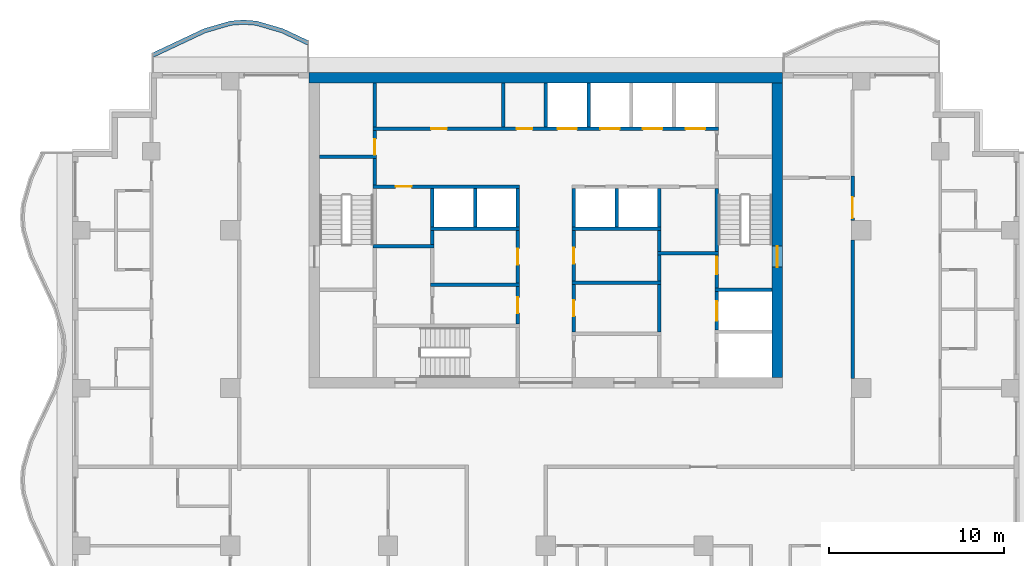
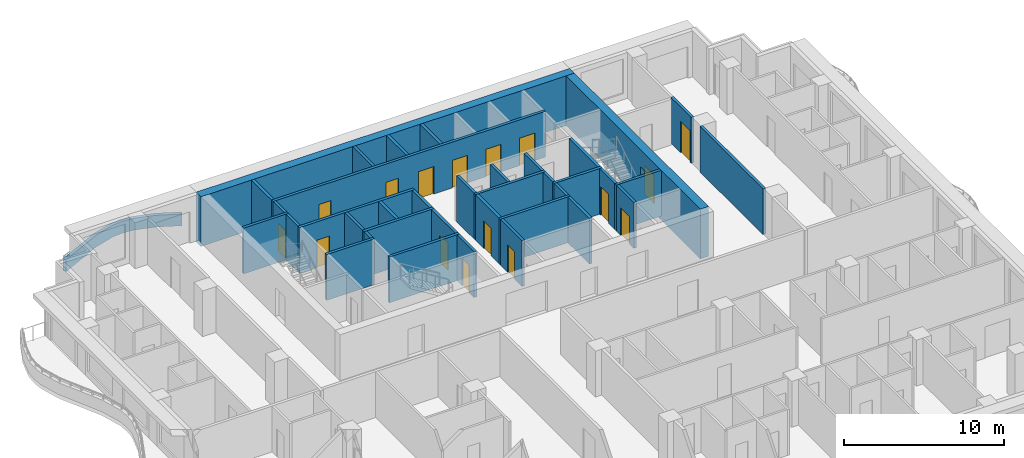
# One storey, part 6 of 12: 38 walls, 16 doors, 16 openings.
"""IFC4 building model written with IfcOpenShell, lengths in metres."""

from ifc_helpers import new_model, si_unit, direction, frame, frame_2d, origin, place, context, subcontext, project, spatial, polyline, rectangle, outline, extrude, material, layer, layer_set, type_object, element, fill, save


model = new_model("IFC4")

# Units and contexts
model_context = context("Model", 3, precision=1e-05, world=origin(), true_north=direction((0.0, 1.0)))
body_context = subcontext(model_context, "Body", "Model", "MODEL_VIEW")
ifc_project = project(units=[si_unit("LENGTHUNIT", "METRE"), si_unit("AREAUNIT", "SQUARE_METRE"), si_unit("VOLUMEUNIT", "CUBIC_METRE"), si_unit("PLANEANGLEUNIT", "RADIAN"), si_unit("MASSUNIT", "GRAM", prefix="KILO")], contexts=[model_context])

# Site, building, storey
site_placement = place(None, origin())
site = spatial("IfcSite", under=ifc_project, at=site_placement, CompositionType="ELEMENT")
building_placement = place(site_placement, origin())
building = spatial("IfcBuilding", under=site, at=building_placement, Name="Orbiselva Terraces", CompositionType="ELEMENT")
storey_placement = place(building_placement, frame((0.0, 0.0, 211.0)))
storey = spatial("IfcBuildingStorey", under=building, at=storey_placement, Name="L53", CompositionType="ELEMENT", Elevation=211.0)

# Wall, opening, door
ifc_material_1 = material(Name="Concrete C80/95", Category="concrete")
ifc_layer_1 = layer(ifc_material_1, 0.6)
ifc_layer_set_1 = layer_set([ifc_layer_1], Name="Concrete C80/95")
wall_type_1 = type_object("IfcWallType", Name="CORE WALL 600", PredefinedType="SHEAR", material=ifc_layer_set_1)
wall_1_placement = place(storey_placement, frame((13.2, 5.1, -0.3), z_axis=(0.0, 0.0, 1.0), x_axis=(0.0, 1.0, 0.0)))
wall_1 = element("IfcWall", 1, at=wall_1_placement, inside=storey, type_object=wall_type_1, Name="Core wall L53 east", PredefinedType="SHEAR", context=body_context, shape_type="SweptSolid", body=[
    extrude(rectangle(XDim=16.8, YDim=0.6, at=frame_2d((8.4, 0.0))), origin(), (0.0, 0.0, 1.0), 3.8),
])
opening_1_placement = place(wall_1_placement, frame((6.3, 0.0, 0.3)))
opening_1 = element("IfcOpeningElement", 2, at=opening_1_placement, cuts=wall_1, Name="Opening DS1200", PredefinedType="OPENING", context=body_context, shape_type="SweptSolid", body=[
    extrude(rectangle(XDim=1.2, YDim=2.2, at=frame_2d((0.6, 1.1))), frame((0.0, 0.31, 0.0), z_axis=(0.0, -1.0, 0.0), x_axis=(1.0, 0.0, 0.0)), (0.0, 0.0, 1.0), 0.62),
])
ifc_material_2 = material(Name="Steel fire door", Category="steel")
door_type_1 = type_object("IfcDoorType", Name="STAIR DOOR 1200", OperationType="NOTDEFINED", PredefinedType="DOOR", material=ifc_material_2)
door_1_placement = place(opening_1_placement, frame((1.2, 0.0, 0.0), z_axis=(0.0, 0.0, 1.0), x_axis=(-1.0, 0.0, 0.0)))
door_1 = element("IfcDoor", 3, at=door_1_placement, inside=storey, type_object=door_type_1, Name="L53 EXIT STAIR S2 door", OperationType="SINGLE_SWING_LEFT", OverallHeight=2.2, OverallWidth=1.2, PredefinedType="DOOR", context=body_context, shape_type="SweptSolid", body=[
    extrude(rectangle(XDim=1.2, YDim=2.2, at=frame_2d((0.6, 1.1))), frame((0.0, 0.025, 0.0), z_axis=(0.0, -1.0, 0.0), x_axis=(1.0, 0.0, 0.0)), (0.0, 0.0, 1.0), 0.05),
])
fill(opening_1, door_1)

# Wall
ifc_layer_2 = layer(ifc_material_1, 0.6)
ifc_layer_set_2 = layer_set([ifc_layer_2], Name="Concrete C80/95")
wall_type_2 = type_object("IfcWallType", Name="CORE WALL 600 EXTERNAL", PredefinedType="SHEAR", material=ifc_layer_set_2)
wall_2_placement = place(storey_placement, frame((13.5, 22.2, -0.3), z_axis=(0.0, 0.0, 1.0), x_axis=(-1.0, 0.0, 0.0)))
element("IfcWall", 4, at=wall_2_placement, inside=storey, type_object=wall_type_2, Name="Core wall L53 north", PredefinedType="SHEAR", context=body_context, shape_type="SweptSolid", body=[
    extrude(rectangle(XDim=27.0, YDim=0.6, at=frame_2d((13.5, 0.0))), origin(), (0.0, 0.0, 1.0), 3.8),
])

# Wall, opening, door
ifc_material_3 = material(Name="Masonry blockwork", Category="masonry")
ifc_layer_3 = layer(ifc_material_3, 0.2)
ifc_layer_set_3 = layer_set([ifc_layer_3], Name="Masonry blockwork")
wall_type_3 = type_object("IfcWallType", Name="CORE-WALL-PARTITION-200", PredefinedType="PARTITIONING", material=ifc_layer_set_3)
wall_3_placement = place(storey_placement, frame((-9.75, 17.8, 0.0), z_axis=(0.0, 0.0, 1.0), x_axis=(0.0, 1.0, 0.0)))
wall_3 = element("IfcWall", 5, at=wall_3_placement, inside=storey, type_object=wall_type_3, Name="L53 core wall 11", PredefinedType="PARTITIONING", context=body_context, shape_type="SweptSolid", body=[
    extrude(rectangle(XDim=1.4, YDim=0.2, at=frame_2d((0.7, 0.0))), origin(), (0.0, 0.0, 1.0), 3.5),
])
opening_2_placement = place(wall_3_placement, origin())
opening_2 = element("IfcOpeningElement", 6, at=opening_2_placement, cuts=wall_3, Name="Opening DR900", PredefinedType="OPENING", context=body_context, shape_type="SweptSolid", body=[
    extrude(rectangle(XDim=0.9, YDim=2.1, at=frame_2d((0.45, 1.05))), frame((0.0, 0.11, 0.0), z_axis=(0.0, -1.0, 0.0), x_axis=(1.0, 0.0, 0.0)), (0.0, 0.0, 1.0), 0.22),
])
door_type_2 = type_object("IfcDoorType", Name="ROOM DOOR 900", OperationType="NOTDEFINED", PredefinedType="DOOR", material=ifc_material_2)
door_2_placement = place(opening_2_placement, origin())
door_2 = element("IfcDoor", 7, at=door_2_placement, inside=storey, type_object=door_type_2, Name="L53 COMMS RISER ROOM door", OperationType="SINGLE_SWING_LEFT", OverallHeight=2.1, OverallWidth=0.9, PredefinedType="DOOR", context=body_context, shape_type="SweptSolid", body=[
    extrude(rectangle(XDim=0.9, YDim=2.1, at=frame_2d((0.45, 1.05))), frame((0.0, 0.025, 0.0), z_axis=(0.0, -1.0, 0.0), x_axis=(1.0, 0.0, 0.0)), (0.0, 0.0, 1.0), 0.05),
])
fill(opening_2, door_2)

# Walls
wall_4_placement = place(storey_placement, frame((-9.75, 19.4, 0.0), z_axis=(0.0, 0.0, 1.0), x_axis=(0.0, 1.0, 0.0)))
element("IfcWall", 8, at=wall_4_placement, inside=storey, type_object=wall_type_3, Name="L53 core wall 13", PredefinedType="PARTITIONING", context=body_context, shape_type="SweptSolid", body=[
    extrude(rectangle(XDim=2.5, YDim=0.2, at=frame_2d((1.25, 0.0))), origin(), (0.0, 0.0, 1.0), 3.5),
])
wall_5_placement = place(storey_placement, frame((-6.475, 12.7, 0.0), z_axis=(0.0, 0.0, 1.0), x_axis=(0.0, 1.0, 0.0)))
element("IfcWall", 9, at=wall_5_placement, inside=storey, type_object=wall_type_3, Name="L53 core wall 17", PredefinedType="PARTITIONING", context=body_context, shape_type="SweptSolid", body=[
    extrude(rectangle(XDim=0.8, YDim=0.2, at=frame_2d((0.4, 0.0))), origin(), (0.0, 0.0, 1.0), 3.5),
])
wall_6_placement = place(storey_placement, frame((-2.4375, 19.4, 0.0), z_axis=(0.0, 0.0, 1.0), x_axis=(0.0, 1.0, 0.0)))
element("IfcWall", 10, at=wall_6_placement, inside=storey, type_object=wall_type_3, Name="L53 core wall 21", PredefinedType="PARTITIONING", context=body_context, shape_type="SweptSolid", body=[
    extrude(rectangle(XDim=2.5, YDim=0.2, at=frame_2d((1.25, 0.0))), origin(), (0.0, 0.0, 1.0), 3.5),
])

# Wall, opening, door
wall_7_placement = place(storey_placement, frame((-1.6, 8.15, 0.0), z_axis=(0.0, 0.0, 1.0), x_axis=(0.0, 1.0, 0.0)))
wall_7 = element("IfcWall", 11, at=wall_7_placement, inside=storey, type_object=wall_type_3, Name="L53 core wall 23", PredefinedType="PARTITIONING", context=body_context, shape_type="SweptSolid", body=[
    extrude(rectangle(XDim=2.15, YDim=0.2, at=frame_2d((1.075, 0.0))), origin(), (0.0, 0.0, 1.0), 3.5),
])
opening_3_placement = place(wall_7_placement, frame((0.625, 0.0, 0.0)))
opening_3 = element("IfcOpeningElement", 12, at=opening_3_placement, cuts=wall_7, Name="Opening DR900", PredefinedType="OPENING", context=body_context, shape_type="SweptSolid", body=[
    extrude(rectangle(XDim=0.9, YDim=2.1, at=frame_2d((0.45, 1.05))), frame((0.0, 0.11, 0.0), z_axis=(0.0, -1.0, 0.0), x_axis=(1.0, 0.0, 0.0)), (0.0, 0.0, 1.0), 0.22),
])
door_3_placement = place(opening_3_placement, origin())
door_3 = element("IfcDoor", 13, at=door_3_placement, inside=storey, type_object=door_type_2, Name="L53 SERVICE PANTRY door", OperationType="SINGLE_SWING_LEFT", OverallHeight=2.1, OverallWidth=0.9, PredefinedType="DOOR", context=body_context, shape_type="SweptSolid", body=[
    extrude(rectangle(XDim=0.9, YDim=2.1, at=frame_2d((0.45, 1.05))), frame((0.0, 0.025, 0.0), z_axis=(0.0, -1.0, 0.0), x_axis=(1.0, 0.0, 0.0)), (0.0, 0.0, 1.0), 0.05),
])
fill(opening_3, door_3)

wall_8_placement = place(storey_placement, frame((-1.6, 10.5, 0.0), z_axis=(0.0, 0.0, 1.0), x_axis=(0.0, 1.0, 0.0)))
wall_8 = element("IfcWall", 14, at=wall_8_placement, inside=storey, type_object=wall_type_3, Name="L53 core wall 24", PredefinedType="PARTITIONING", context=body_context, shape_type="SweptSolid", body=[
    extrude(rectangle(XDim=3.0, YDim=0.2, at=frame_2d((1.5, 0.0))), origin(), (0.0, 0.0, 1.0), 3.5),
])
opening_4_placement = place(wall_8_placement, frame((1.05, 0.0, 0.0)))
opening_4 = element("IfcOpeningElement", 15, at=opening_4_placement, cuts=wall_8, Name="Opening DR900", PredefinedType="OPENING", context=body_context, shape_type="SweptSolid", body=[
    extrude(rectangle(XDim=0.9, YDim=2.1, at=frame_2d((0.45, 1.05))), frame((0.0, 0.11, 0.0), z_axis=(0.0, -1.0, 0.0), x_axis=(1.0, 0.0, 0.0)), (0.0, 0.0, 1.0), 0.22),
])
door_4_placement = place(opening_4_placement, origin())
door_4 = element("IfcDoor", 16, at=door_4_placement, inside=storey, type_object=door_type_2, Name="L53 LINEN STORE door", OperationType="SINGLE_SWING_RIGHT", OverallHeight=2.1, OverallWidth=0.9, PredefinedType="DOOR", context=body_context, shape_type="SweptSolid", body=[
    extrude(rectangle(XDim=0.9, YDim=2.1, at=frame_2d((0.45, 1.05))), frame((0.0, 0.025, 0.0), z_axis=(0.0, -1.0, 0.0), x_axis=(1.0, 0.0, 0.0)), (0.0, 0.0, 1.0), 0.05),
])
fill(opening_4, door_4)

wall_9_placement = place(storey_placement, frame((1.6, 10.4, 0.0), z_axis=(0.0, 0.0, 1.0), x_axis=(0.0, -1.0, 0.0)))
wall_9 = element("IfcWall", 17, at=wall_9_placement, inside=storey, type_object=wall_type_3, Name="L53 core wall 29", PredefinedType="PARTITIONING", context=body_context, shape_type="SweptSolid", body=[
    extrude(rectangle(XDim=2.7, YDim=0.2, at=frame_2d((1.35, 0.0))), origin(), (0.0, 0.0, 1.0), 3.5),
])
opening_5_placement = place(wall_9_placement, frame((0.9, 0.0, 0.0)))
opening_5 = element("IfcOpeningElement", 18, at=opening_5_placement, cuts=wall_9, Name="Opening DR900", PredefinedType="OPENING", context=body_context, shape_type="SweptSolid", body=[
    extrude(rectangle(XDim=0.9, YDim=2.1, at=frame_2d((0.45, 1.05))), frame((0.0, 0.11, 0.0), z_axis=(0.0, -1.0, 0.0), x_axis=(1.0, 0.0, 0.0)), (0.0, 0.0, 1.0), 0.22),
])
door_5_placement = place(opening_5_placement, origin())
door_5 = element("IfcDoor", 19, at=door_5_placement, inside=storey, type_object=door_type_2, Name="L53 SERVICE PANTRY door", OperationType="SINGLE_SWING_LEFT", OverallHeight=2.1, OverallWidth=0.9, PredefinedType="DOOR", context=body_context, shape_type="SweptSolid", body=[
    extrude(rectangle(XDim=0.9, YDim=2.1, at=frame_2d((0.45, 1.05))), frame((0.0, 0.025, 0.0), z_axis=(0.0, -1.0, 0.0), x_axis=(1.0, 0.0, 0.0)), (0.0, 0.0, 1.0), 0.05),
])
fill(opening_5, door_5)

wall_10_placement = place(storey_placement, frame((1.6, 13.5, 0.0), z_axis=(0.0, 0.0, 1.0), x_axis=(0.0, -1.0, 0.0)))
wall_10 = element("IfcWall", 20, at=wall_10_placement, inside=storey, type_object=wall_type_3, Name="L53 core wall 31", PredefinedType="PARTITIONING", context=body_context, shape_type="SweptSolid", body=[
    extrude(rectangle(XDim=2.9, YDim=0.2, at=frame_2d((1.45, 0.0))), origin(), (0.0, 0.0, 1.0), 3.5),
])
opening_6_placement = place(wall_10_placement, frame((1.0, 0.0, 0.0)))
opening_6 = element("IfcOpeningElement", 21, at=opening_6_placement, cuts=wall_10, Name="Opening DR900", PredefinedType="OPENING", context=body_context, shape_type="SweptSolid", body=[
    extrude(rectangle(XDim=0.9, YDim=2.1, at=frame_2d((0.45, 1.05))), frame((0.0, 0.11, 0.0), z_axis=(0.0, -1.0, 0.0), x_axis=(1.0, 0.0, 0.0)), (0.0, 0.0, 1.0), 0.22),
])
door_6_placement = place(opening_6_placement, origin())
door_6 = element("IfcDoor", 22, at=door_6_placement, inside=storey, type_object=door_type_2, Name="L53 STAFF WC door", OperationType="SINGLE_SWING_LEFT", OverallHeight=2.1, OverallWidth=0.9, PredefinedType="DOOR", context=body_context, shape_type="SweptSolid", body=[
    extrude(rectangle(XDim=0.9, YDim=2.1, at=frame_2d((0.45, 1.05))), frame((0.0, 0.025, 0.0), z_axis=(0.0, -1.0, 0.0), x_axis=(1.0, 0.0, 0.0)), (0.0, 0.0, 1.0), 0.05),
])
fill(opening_6, door_6)

# Walls
wall_11_placement = place(storey_placement, frame((6.475, 12.3, 0.0), z_axis=(0.0, 0.0, 1.0), x_axis=(0.0, 1.0, 0.0)))
element("IfcWall", 23, at=wall_11_placement, inside=storey, type_object=wall_type_3, Name="L53 core wall 42", PredefinedType="PARTITIONING", context=body_context, shape_type="SweptSolid", body=[
    extrude(rectangle(XDim=1.2, YDim=0.2, at=frame_2d((0.6, 0.0))), origin(), (0.0, 0.0, 1.0), 3.5),
])
ifc_material_4 = material(Name="Concrete C40/50", Category="concrete")
ifc_layer_4 = layer(ifc_material_4, 0.2)
ifc_layer_set_4 = layer_set([ifc_layer_4], Name="Concrete C40/50")
wall_type_4 = type_object("IfcWallType", Name="CORE-WALL-SHAFT-200", PredefinedType="PARTITIONING", material=ifc_layer_set_4)
for number, where, z_axis, x_axis, name in (
    (24, (-6.475, 13.7, 0.0), (0.0, 0.0, 1.0), (0.0, 1.0, 0.0), "L53 core wall 19"),
    (25, (-4.0375, 13.7, 0.0), (0.0, 0.0, 1.0), (0.0, 1.0, 0.0), "L53 core wall 20"),
    (26, (-1.6, 13.7, 0.0), (0.0, 0.0, 1.0), (0.0, 1.0, 0.0), "L53 core wall 25"),
):
    element("IfcWall", number, at=place(storey_placement, frame(where, z_axis=z_axis, x_axis=x_axis)), inside=storey, type_object=wall_type_4, Name=name, PredefinedType="PARTITIONING", context=body_context, shape_type="SweptSolid", body=[
        extrude(rectangle(XDim=2.2, YDim=0.2, at=frame_2d((1.1, 0.0))), origin(), (0.0, 0.0, 1.0), 3.5),
    ])
wall_12_placement = place(storey_placement, frame((0.0, 19.4, 0.0), z_axis=(0.0, 0.0, 1.0), x_axis=(0.0, 1.0, 0.0)))
element("IfcWall", 27, at=wall_12_placement, inside=storey, type_object=wall_type_4, Name="L53 core wall 26", PredefinedType="PARTITIONING", context=body_context, shape_type="SweptSolid", body=[
    extrude(rectangle(XDim=2.5, YDim=0.2, at=frame_2d((1.25, 0.0))), origin(), (0.0, 0.0, 1.0), 3.5),
])
wall_13_placement = place(storey_placement, frame((1.6, 13.7, 0.0), z_axis=(0.0, 0.0, 1.0), x_axis=(0.0, 1.0, 0.0)))
element("IfcWall", 28, at=wall_13_placement, inside=storey, type_object=wall_type_4, Name="L53 core wall 33", PredefinedType="PARTITIONING", context=body_context, shape_type="SweptSolid", body=[
    extrude(rectangle(XDim=2.2, YDim=0.2, at=frame_2d((1.1, 0.0))), origin(), (0.0, 0.0, 1.0), 3.5),
])
wall_14_placement = place(storey_placement, frame((2.4375, 19.4, 0.0), z_axis=(0.0, 0.0, 1.0), x_axis=(0.0, 1.0, 0.0)))
element("IfcWall", 29, at=wall_14_placement, inside=storey, type_object=wall_type_4, Name="L53 core wall 35", PredefinedType="PARTITIONING", context=body_context, shape_type="SweptSolid", body=[
    extrude(rectangle(XDim=2.5, YDim=0.2, at=frame_2d((1.25, 0.0))), origin(), (0.0, 0.0, 1.0), 3.5),
])
for number, where, z_axis, x_axis, name in (
    (30, (4.0375, 13.7, 0.0), (0.0, 0.0, 1.0), (0.0, 1.0, 0.0), "L53 core wall 36"),
    (31, (6.475, 13.7, 0.0), (0.0, 0.0, 1.0), (0.0, 1.0, 0.0), "L53 core wall 43"),
):
    element("IfcWall", number, at=place(storey_placement, frame(where, z_axis=z_axis, x_axis=x_axis)), inside=storey, type_object=wall_type_4, Name=name, PredefinedType="PARTITIONING", context=body_context, shape_type="SweptSolid", body=[
        extrude(rectangle(XDim=2.2, YDim=0.2, at=frame_2d((1.1, 0.0))), origin(), (0.0, 0.0, 1.0), 3.5),
    ])
ifc_material_5 = material(Name="Concrete C60/75", Category="concrete")
ifc_layer_5 = layer(ifc_material_5, 0.2)
ifc_layer_set_5 = layer_set([ifc_layer_5], Name="Concrete C60/75")
wall_type_5 = type_object("IfcWallType", Name="CORE-WALL-SHEAR-200", PredefinedType="SHEAR", material=ifc_layer_set_5)
wall_15_placement = place(storey_placement, frame((-12.9, 17.7, 0.0), z_axis=(0.0, 0.0, 1.0), x_axis=(1.0, 0.0, 0.0)))
element("IfcWall", 32, at=wall_15_placement, inside=storey, type_object=wall_type_5, Name="L53 core wall 02", PredefinedType="SHEAR", context=body_context, shape_type="SweptSolid", body=[
    extrude(rectangle(XDim=3.25, YDim=0.2, at=frame_2d((1.625, 0.0))), origin(), (0.0, 0.0, 1.0), 3.5),
])
wall_16_placement = place(storey_placement, frame((-9.85, 12.6, 0.0), z_axis=(0.0, 0.0, 1.0), x_axis=(1.0, 0.0, 0.0)))
element("IfcWall", 33, at=wall_16_placement, inside=storey, type_object=wall_type_5, Name="L53 core wall 07", PredefinedType="SHEAR", context=body_context, shape_type="SweptSolid", body=[
    extrude(rectangle(XDim=3.475, YDim=0.2, at=frame_2d((1.7375, 0.0))), origin(), (0.0, 0.0, 1.0), 3.5),
])

# Wall, opening, door
wall_17_placement = place(storey_placement, frame((-1.5, 16.0, 0.0), z_axis=(0.0, 0.0, 1.0), x_axis=(-1.0, 0.0, 0.0)))
wall_17 = element("IfcWall", 34, at=wall_17_placement, inside=storey, type_object=wall_type_5, Name="L53 core wall 09", PredefinedType="SHEAR", context=body_context, shape_type="SweptSolid", body=[
    extrude(rectangle(XDim=8.35, YDim=0.2, at=frame_2d((4.175, 0.0))), origin(), (0.0, 0.0, 1.0), 3.5),
])
opening_7_placement = place(wall_17_placement, frame((6.1625, 0.0, 0.0)))
opening_7 = element("IfcOpeningElement", 35, at=opening_7_placement, cuts=wall_17, Name="Opening DR900", PredefinedType="OPENING", context=body_context, shape_type="SweptSolid", body=[
    extrude(rectangle(XDim=0.9, YDim=2.1, at=frame_2d((0.45, 1.05))), frame((0.0, 0.11, 0.0), z_axis=(0.0, -1.0, 0.0), x_axis=(1.0, 0.0, 0.0)), (0.0, 0.0, 1.0), 0.22),
])
door_7_placement = place(opening_7_placement, origin())
door_7 = element("IfcDoor", 36, at=door_7_placement, inside=storey, type_object=door_type_2, Name="L53 IT ROOM door", OperationType="SINGLE_SWING_RIGHT", OverallHeight=2.1, OverallWidth=0.9, PredefinedType="DOOR", context=body_context, shape_type="SweptSolid", body=[
    extrude(rectangle(XDim=0.9, YDim=2.1, at=frame_2d((0.45, 1.05))), frame((0.0, 0.025, 0.0), z_axis=(0.0, -1.0, 0.0), x_axis=(1.0, 0.0, 0.0)), (0.0, 0.0, 1.0), 0.05),
])
fill(opening_7, door_7)

# Wall
wall_18_placement = place(storey_placement, frame((-9.75, 16.1, 0.0), z_axis=(0.0, 0.0, 1.0), x_axis=(0.0, 1.0, 0.0)))
element("IfcWall", 37, at=wall_18_placement, inside=storey, type_object=wall_type_5, Name="L53 core wall 10", PredefinedType="SHEAR", context=body_context, shape_type="SweptSolid", body=[
    extrude(rectangle(XDim=1.5, YDim=0.2, at=frame_2d((0.75, 0.0))), origin(), (0.0, 0.0, 1.0), 3.5),
])

# Wall, openings, doors
wall_19_placement = place(storey_placement, frame((-9.85, 19.3, 0.0), z_axis=(0.0, 0.0, 1.0), x_axis=(1.0, 0.0, 0.0)))
wall_19 = element("IfcWall", 38, at=wall_19_placement, inside=storey, type_object=wall_type_5, Name="L53 core wall 12", PredefinedType="SHEAR", context=body_context, shape_type="SweptSolid", body=[
    extrude(rectangle(XDim=19.7, YDim=0.2, at=frame_2d((9.85, 0.0))), origin(), (0.0, 0.0, 1.0), 3.5),
])
opening_8_placement = place(wall_19_placement, frame((10.51875, 0.0, 0.0)))
opening_8 = element("IfcOpeningElement", 39, at=opening_8_placement, cuts=wall_19, Name="Opening LD-HR1", PredefinedType="OPENING", context=body_context, shape_type="SweptSolid", body=[
    extrude(rectangle(XDim=1.1, YDim=2.1, at=frame_2d((0.55, 1.05))), frame((0.0, 0.11, 0.0), z_axis=(0.0, -1.0, 0.0), x_axis=(1.0, 0.0, 0.0)), (0.0, 0.0, 1.0), 0.22),
])
opening_9_placement = place(wall_19_placement, frame((12.95625, 0.0, 0.0)))
opening_9 = element("IfcOpeningElement", 40, at=opening_9_placement, cuts=wall_19, Name="Opening LD-HR2", PredefinedType="OPENING", context=body_context, shape_type="SweptSolid", body=[
    extrude(rectangle(XDim=1.1, YDim=2.1, at=frame_2d((0.55, 1.05))), frame((0.0, 0.11, 0.0), z_axis=(0.0, -1.0, 0.0), x_axis=(1.0, 0.0, 0.0)), (0.0, 0.0, 1.0), 0.22),
])
opening_10_placement = place(wall_19_placement, frame((15.39375, 0.0, 0.0)))
opening_10 = element("IfcOpeningElement", 41, at=opening_10_placement, cuts=wall_19, Name="Opening LD-HR3", PredefinedType="OPENING", context=body_context, shape_type="SweptSolid", body=[
    extrude(rectangle(XDim=1.1, YDim=2.1, at=frame_2d((0.55, 1.05))), frame((0.0, 0.11, 0.0), z_axis=(0.0, -1.0, 0.0), x_axis=(1.0, 0.0, 0.0)), (0.0, 0.0, 1.0), 0.22),
])
opening_11_placement = place(wall_19_placement, frame((17.83125, 0.0, 0.0)))
opening_11 = element("IfcOpeningElement", 42, at=opening_11_placement, cuts=wall_19, Name="Opening LD-HR4", PredefinedType="OPENING", context=body_context, shape_type="SweptSolid", body=[
    extrude(rectangle(XDim=1.1, YDim=2.1, at=frame_2d((0.55, 1.05))), frame((0.0, 0.11, 0.0), z_axis=(0.0, -1.0, 0.0), x_axis=(1.0, 0.0, 0.0)), (0.0, 0.0, 1.0), 0.22),
])
opening_12_placement = place(wall_19_placement, frame((3.3062, 0.0, 0.0)))
opening_12 = element("IfcOpeningElement", 43, at=opening_12_placement, cuts=wall_19, Name="Opening DR900", PredefinedType="OPENING", context=body_context, shape_type="SweptSolid", body=[
    extrude(rectangle(XDim=0.9, YDim=2.1, at=frame_2d((0.45, 1.05))), frame((0.0, 0.11, 0.0), z_axis=(0.0, -1.0, 0.0), x_axis=(1.0, 0.0, 0.0)), (0.0, 0.0, 1.0), 0.22),
])
opening_13_placement = place(wall_19_placement, frame((8.1812, 0.0, 0.0)))
opening_13 = element("IfcOpeningElement", 44, at=opening_13_placement, cuts=wall_19, Name="Opening DR900", PredefinedType="OPENING", context=body_context, shape_type="SweptSolid", body=[
    extrude(rectangle(XDim=0.9, YDim=2.1, at=frame_2d((0.45, 1.05))), frame((0.0, 0.11, 0.0), z_axis=(0.0, -1.0, 0.0), x_axis=(1.0, 0.0, 0.0)), (0.0, 0.0, 1.0), 0.22),
])
ifc_material_6 = material(Name="Stainless steel landing door", Category="steel")
door_type_3 = type_object("IfcDoorType", Name="LANDING DOOR 1100", OperationType="SLIDING_TO_LEFT", PredefinedType="DOOR", material=ifc_material_6)
door_8_placement = place(opening_8_placement, origin())
door_8 = element("IfcDoor", 45, at=door_8_placement, inside=storey, type_object=door_type_3, Name="L53 landing door HR1", OperationType="SLIDING_TO_RIGHT", OverallHeight=2.1, OverallWidth=1.1, PredefinedType="DOOR", context=body_context, shape_type="SweptSolid", body=[
    extrude(rectangle(XDim=1.1, YDim=2.1, at=frame_2d((0.55, 1.05))), frame((0.0, 0.025, 0.0), z_axis=(0.0, -1.0, 0.0), x_axis=(1.0, 0.0, 0.0)), (0.0, 0.0, 1.0), 0.05),
])
fill(opening_8, door_8)
door_9_placement = place(opening_9_placement, origin())
door_9 = element("IfcDoor", 46, at=door_9_placement, inside=storey, type_object=door_type_3, Name="L53 landing door HR2", OperationType="SLIDING_TO_RIGHT", OverallHeight=2.1, OverallWidth=1.1, PredefinedType="DOOR", context=body_context, shape_type="SweptSolid", body=[
    extrude(rectangle(XDim=1.1, YDim=2.1, at=frame_2d((0.55, 1.05))), frame((0.0, 0.025, 0.0), z_axis=(0.0, -1.0, 0.0), x_axis=(1.0, 0.0, 0.0)), (0.0, 0.0, 1.0), 0.05),
])
fill(opening_9, door_9)
door_10_placement = place(opening_10_placement, origin())
door_10 = element("IfcDoor", 47, at=door_10_placement, inside=storey, type_object=door_type_3, Name="L53 landing door HR3", OperationType="SLIDING_TO_RIGHT", OverallHeight=2.1, OverallWidth=1.1, PredefinedType="DOOR", context=body_context, shape_type="SweptSolid", body=[
    extrude(rectangle(XDim=1.1, YDim=2.1, at=frame_2d((0.55, 1.05))), frame((0.0, 0.025, 0.0), z_axis=(0.0, -1.0, 0.0), x_axis=(1.0, 0.0, 0.0)), (0.0, 0.0, 1.0), 0.05),
])
fill(opening_10, door_10)
door_11_placement = place(opening_11_placement, origin())
door_11 = element("IfcDoor", 48, at=door_11_placement, inside=storey, type_object=door_type_3, Name="L53 landing door HR4", OperationType="SLIDING_TO_RIGHT", OverallHeight=2.1, OverallWidth=1.1, PredefinedType="DOOR", context=body_context, shape_type="SweptSolid", body=[
    extrude(rectangle(XDim=1.1, YDim=2.1, at=frame_2d((0.55, 1.05))), frame((0.0, 0.025, 0.0), z_axis=(0.0, -1.0, 0.0), x_axis=(1.0, 0.0, 0.0)), (0.0, 0.0, 1.0), 0.05),
])
fill(opening_11, door_11)
door_12_placement = place(opening_12_placement, origin())
door_12 = element("IfcDoor", 49, at=door_12_placement, inside=storey, type_object=door_type_2, Name="L53 SERVICE LOUNGE door", OperationType="SINGLE_SWING_LEFT", OverallHeight=2.1, OverallWidth=0.9, PredefinedType="DOOR", context=body_context, shape_type="SweptSolid", body=[
    extrude(rectangle(XDim=0.9, YDim=2.1, at=frame_2d((0.45, 1.05))), frame((0.0, 0.025, 0.0), z_axis=(0.0, -1.0, 0.0), x_axis=(1.0, 0.0, 0.0)), (0.0, 0.0, 1.0), 0.05),
])
fill(opening_12, door_12)
door_13_placement = place(opening_13_placement, origin())
door_13 = element("IfcDoor", 50, at=door_13_placement, inside=storey, type_object=door_type_2, Name="L53 STAFF WC door", OperationType="SINGLE_SWING_LEFT", OverallHeight=2.1, OverallWidth=0.9, PredefinedType="DOOR", context=body_context, shape_type="SweptSolid", body=[
    extrude(rectangle(XDim=0.9, YDim=2.1, at=frame_2d((0.45, 1.05))), frame((0.0, 0.025, 0.0), z_axis=(0.0, -1.0, 0.0), x_axis=(1.0, 0.0, 0.0)), (0.0, 0.0, 1.0), 0.05),
])
fill(opening_13, door_13)

# Walls
for number, where, z_axis, x_axis, name in (
    (51, (-6.575, 10.4, 0.0), (0.0, 0.0, 1.0), (1.0, 0.0, 0.0), "L53 core wall 15"),
    (52, (-6.575, 13.6, 0.0), (0.0, 0.0, 1.0), (1.0, 0.0, 0.0), "L53 core wall 18"),
    (53, (1.5, 10.5, 0.0), (0.0, 0.0, 1.0), (1.0, 0.0, 0.0), "L53 core wall 30"),
    (54, (1.5, 13.6, 0.0), (0.0, 0.0, 1.0), (1.0, 0.0, 0.0), "L53 core wall 32"),
):
    element("IfcWall", number, at=place(storey_placement, frame(where, z_axis=z_axis, x_axis=x_axis)), inside=storey, type_object=wall_type_5, Name=name, PredefinedType="SHEAR", context=body_context, shape_type="SweptSolid", body=[
        extrude(rectangle(XDim=5.075, YDim=0.2, at=frame_2d((2.5375, 0.0))), origin(), (0.0, 0.0, 1.0), 3.5),
    ])
wall_20_placement = place(storey_placement, frame((6.475, 7.7, 0.0), z_axis=(0.0, 0.0, 1.0), x_axis=(0.0, 1.0, 0.0)))
element("IfcWall", 55, at=wall_20_placement, inside=storey, type_object=wall_type_5, Name="L53 core wall 39", PredefinedType="SHEAR", context=body_context, shape_type="SweptSolid", body=[
    extrude(rectangle(XDim=2.7, YDim=0.2, at=frame_2d((1.35, 0.0))), origin(), (0.0, 0.0, 1.0), 3.5),
])
wall_21_placement = place(storey_placement, frame((6.475, 10.6, 0.0), z_axis=(0.0, 0.0, 1.0), x_axis=(0.0, 1.0, 0.0)))
element("IfcWall", 56, at=wall_21_placement, inside=storey, type_object=wall_type_5, Name="L53 core wall 40", PredefinedType="SHEAR", context=body_context, shape_type="SweptSolid", body=[
    extrude(rectangle(XDim=1.5, YDim=0.2, at=frame_2d((0.75, 0.0))), origin(), (0.0, 0.0, 1.0), 3.5),
])
wall_22_placement = place(storey_placement, frame((6.375, 12.2, 0.0), z_axis=(0.0, 0.0, 1.0), x_axis=(1.0, 0.0, 0.0)))
element("IfcWall", 57, at=wall_22_placement, inside=storey, type_object=wall_type_5, Name="L53 core wall 41", PredefinedType="SHEAR", context=body_context, shape_type="SweptSolid", body=[
    extrude(rectangle(XDim=3.475, YDim=0.2, at=frame_2d((1.7375, 0.0))), origin(), (0.0, 0.0, 1.0), 3.5),
])

# Wall, opening, door
wall_23_placement = place(storey_placement, frame((9.75, 7.8, 0.0), z_axis=(0.0, 0.0, 1.0), x_axis=(0.0, 1.0, 0.0)))
wall_23 = element("IfcWall", 58, at=wall_23_placement, inside=storey, type_object=wall_type_5, Name="L53 core wall 47", PredefinedType="SHEAR", context=body_context, shape_type="SweptSolid", body=[
    extrude(rectangle(XDim=2.2, YDim=0.2, at=frame_2d((1.1, 0.0))), origin(), (0.0, 0.0, 1.0), 3.5),
])
opening_14_placement = place(wall_23_placement, frame((0.55, 0.0, 0.0)))
opening_14 = element("IfcOpeningElement", 59, at=opening_14_placement, cuts=wall_23, Name="Opening LD-FF2", PredefinedType="OPENING", context=body_context, shape_type="SweptSolid", body=[
    extrude(rectangle(XDim=1.1, YDim=2.1, at=frame_2d((0.55, 1.05))), frame((0.0, 0.11, 0.0), z_axis=(0.0, -1.0, 0.0), x_axis=(1.0, 0.0, 0.0)), (0.0, 0.0, 1.0), 0.22),
])
door_14_placement = place(opening_14_placement, origin())
door_14 = element("IfcDoor", 60, at=door_14_placement, inside=storey, type_object=door_type_3, Name="L53 landing door FF2", OperationType="SLIDING_TO_RIGHT", OverallHeight=2.1, OverallWidth=1.1, PredefinedType="DOOR", context=body_context, shape_type="SweptSolid", body=[
    extrude(rectangle(XDim=1.1, YDim=2.1, at=frame_2d((0.55, 1.05))), frame((0.0, 0.025, 0.0), z_axis=(0.0, -1.0, 0.0), x_axis=(1.0, 0.0, 0.0)), (0.0, 0.0, 1.0), 0.05),
])
fill(opening_14, door_14)

# Wall
wall_24_placement = place(storey_placement, frame((9.65, 10.1, 0.0), z_axis=(0.0, 0.0, 1.0), x_axis=(1.0, 0.0, 0.0)))
element("IfcWall", 61, at=wall_24_placement, inside=storey, type_object=wall_type_5, Name="L53 core wall 48", PredefinedType="SHEAR", context=body_context, shape_type="SweptSolid", body=[
    extrude(rectangle(XDim=3.25, YDim=0.2, at=frame_2d((1.625, 0.0))), origin(), (0.0, 0.0, 1.0), 3.5),
])

# Wall, opening, door
wall_25_placement = place(storey_placement, frame((9.75, 12.1, 0.0), z_axis=(0.0, 0.0, 1.0), x_axis=(0.0, -1.0, 0.0)))
wall_25 = element("IfcWall", 62, at=wall_25_placement, inside=storey, type_object=wall_type_5, Name="L53 core wall 49", PredefinedType="SHEAR", context=body_context, shape_type="SweptSolid", body=[
    extrude(rectangle(XDim=1.9, YDim=0.2, at=frame_2d((0.95, 0.0))), origin(), (0.0, 0.0, 1.0), 3.5),
])
opening_15_placement = place(wall_25_placement, frame((0.1, 0.0, 0.0)))
opening_15 = element("IfcOpeningElement", 63, at=opening_15_placement, cuts=wall_25, Name="Opening DS1000", PredefinedType="OPENING", context=body_context, shape_type="SweptSolid", body=[
    extrude(rectangle(XDim=1.0, YDim=2.2, at=frame_2d((0.5, 1.1))), frame((0.0, 0.11, 0.0), z_axis=(0.0, -1.0, 0.0), x_axis=(1.0, 0.0, 0.0)), (0.0, 0.0, 1.0), 0.22),
])
door_type_4 = type_object("IfcDoorType", Name="STAIR DOOR 1000", OperationType="NOTDEFINED", PredefinedType="DOOR", material=ifc_material_2)
door_15_placement = place(opening_15_placement, origin())
door_15 = element("IfcDoor", 64, at=door_15_placement, inside=storey, type_object=door_type_4, Name="L53 FIRE-FIGHTING LOBBY TO EXIT STAIR S2 door", OperationType="SINGLE_SWING_LEFT", OverallHeight=2.2, OverallWidth=1.0, PredefinedType="DOOR", context=body_context, shape_type="SweptSolid", body=[
    extrude(rectangle(XDim=1.0, YDim=2.2, at=frame_2d((0.5, 1.1))), frame((0.0, 0.025, 0.0), z_axis=(0.0, -1.0, 0.0), x_axis=(1.0, 0.0, 0.0)), (0.0, 0.0, 1.0), 0.05),
])
fill(opening_15, door_15)

# Walls
wall_26_placement = place(storey_placement, frame((9.75, 12.3, 0.0), z_axis=(0.0, 0.0, 1.0), x_axis=(0.0, 1.0, 0.0)))
element("IfcWall", 65, at=wall_26_placement, inside=storey, type_object=wall_type_5, Name="L53 core wall 50", PredefinedType="SHEAR", context=body_context, shape_type="SweptSolid", body=[
    extrude(rectangle(XDim=3.6, YDim=0.2, at=frame_2d((1.8, 0.0))), origin(), (0.0, 0.0, 1.0), 3.5),
])
ifc_layer_6 = layer(ifc_material_4, 0.25)
ifc_layer_set_6 = layer_set([ifc_layer_6], Name="Concrete C40/50")
wall_type_6 = type_object("IfcWallType", Name="ENV-PLANTER-250x900", PredefinedType="USERDEFINED", material=ifc_layer_set_6)
wall_27_placement = place(storey_placement, origin())
element("IfcWall", 66, at=wall_27_placement, inside=storey, type_object=wall_type_6, Name="Balcony planter L53 NW", ObjectType="PLANTER", PredefinedType="USERDEFINED", context=body_context, shape_type="SweptSolid", body=[
    extrude(outline(polyline([(-13.5, 24.3), (-15.0, 25.005342), (-16.5, 25.441268), (-17.25, 25.5), (-18.0, 25.441268), (-19.5, 25.005342), (-21.0, 24.3), (-22.5, 23.594658), (-22.393617, 23.368422), (-20.893617, 24.073764), (-19.411382, 24.770753), (-17.954886, 25.194035), (-17.25, 25.249235), (-16.545114, 25.194035), (-15.088618, 24.770753), (-13.606383, 24.073764), (-13.5, 24.3)])), origin(), (0.0, 0.0, 1.0), 0.9),
])
ifc_material_7 = material(Name="Plasterboard on steel stud partition", Category="steel")
ifc_layer_7 = layer(ifc_material_7, 0.2)
ifc_layer_set_7 = layer_set([ifc_layer_7], Name="Plasterboard on steel stud partition")
wall_type_7 = type_object("IfcWallType", Name="UNIT-ENTRANCE-WALL-200", PredefinedType="PARTITIONING", material=ifc_layer_set_7)
wall_28_placement = place(storey_placement, frame((17.5, 5.05, 0.0), z_axis=(0.0, 0.0, 1.0), x_axis=(0.0, 1.0, 0.0)))
element("IfcWall", 67, at=wall_28_placement, inside=storey, type_object=wall_type_7, Name="PARTITION L53-086", PredefinedType="PARTITIONING", context=body_context, shape_type="SweptSolid", body=[
    extrude(rectangle(XDim=7.9, YDim=0.2, at=frame_2d((3.95, 0.0))), origin(), (0.0, 0.0, 1.0), 3.5),
])

# Wall, opening, door
wall_29_placement = place(storey_placement, frame((17.5, 16.6, 0.0), z_axis=(0.0, 0.0, 1.0), x_axis=(0.0, -1.0, 0.0)))
wall_29 = element("IfcWall", 68, at=wall_29_placement, inside=storey, type_object=wall_type_7, Name="PARTITION L53-087", PredefinedType="PARTITIONING", context=body_context, shape_type="SweptSolid", body=[
    extrude(rectangle(XDim=2.55, YDim=0.2, at=frame_2d((1.275, 0.0))), origin(), (0.0, 0.0, 1.0), 3.5),
])
opening_16_placement = place(wall_29_placement, frame((1.2, 0.0, 0.0)))
opening_16 = element("IfcOpeningElement", 69, at=opening_16_placement, cuts=wall_29, Name="Opening Z4-C-10", PredefinedType="OPENING", context=body_context, shape_type="SweptSolid", body=[
    extrude(rectangle(XDim=1.2, YDim=2.4, at=frame_2d((0.6, 1.2))), frame((0.0, 0.11, 0.0), z_axis=(0.0, -1.0, 0.0), x_axis=(1.0, 0.0, 0.0)), (0.0, 0.0, 1.0), 0.22),
])
ifc_material_8 = material(Name="Painted timber door leaf", Category="wood")
door_type_5 = type_object("IfcDoorType", Name="ENTRANCE DOOR 1200", OperationType="NOTDEFINED", PredefinedType="DOOR", material=ifc_material_8)
door_16_placement = place(opening_16_placement, origin())
door_16 = element("IfcDoor", 70, at=door_16_placement, inside=storey, type_object=door_type_5, Name="Z4-C-10", OperationType="SINGLE_SWING_RIGHT", OverallHeight=2.4, OverallWidth=1.2, PredefinedType="DOOR", context=body_context, shape_type="SweptSolid", body=[
    extrude(rectangle(XDim=1.2, YDim=2.4, at=frame_2d((0.6, 1.2))), frame((0.0, 0.025, 0.0), z_axis=(0.0, -1.0, 0.0), x_axis=(1.0, 0.0, 0.0)), (0.0, 0.0, 1.0), 0.05),
])
fill(opening_16, door_16)

save(model, "model.ifc")
